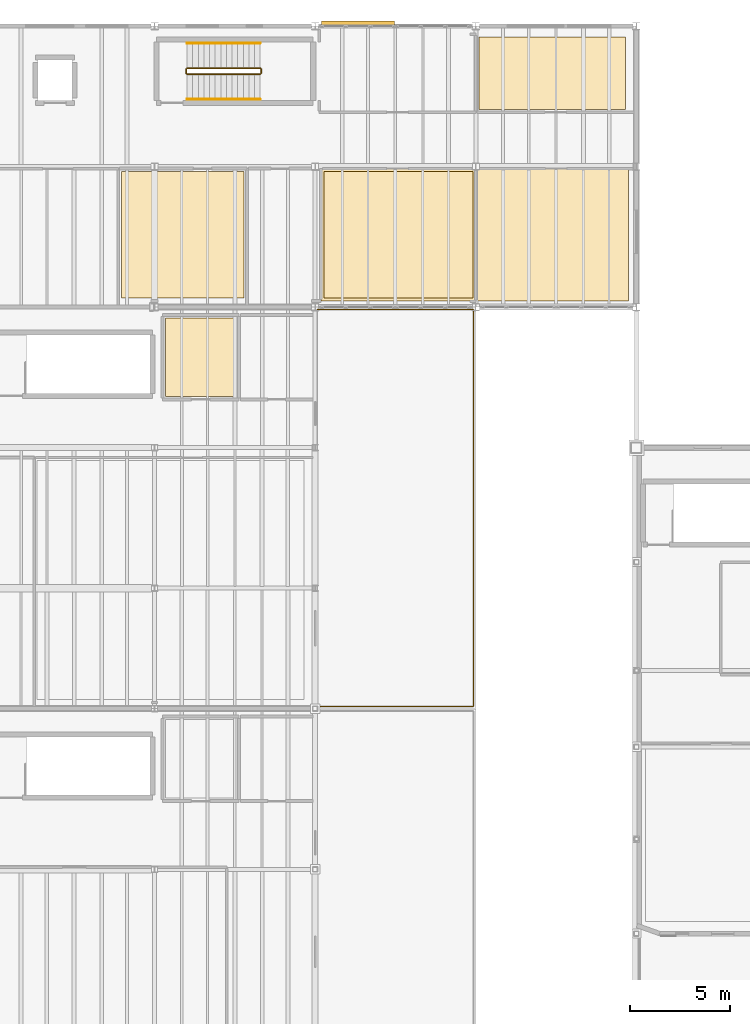
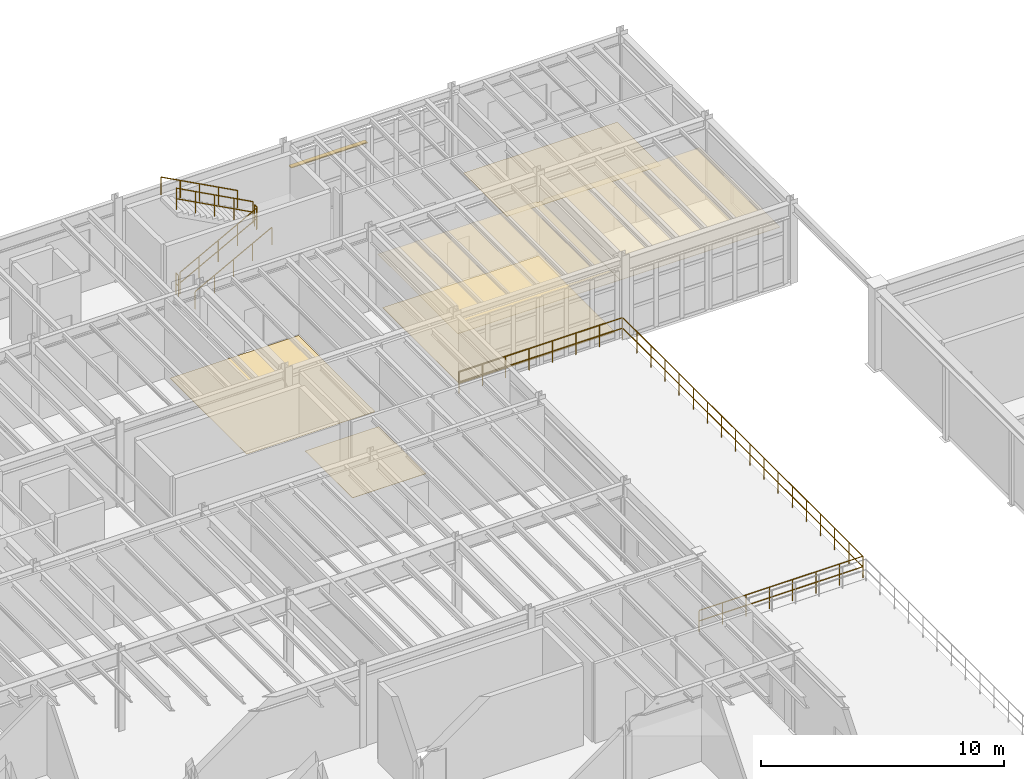
# One storey, part 74 of 78: 7 railings, 6 coverings, 1 shading device.
"""IFC4 building model written with IfcOpenShell, lengths in metres."""

from ifc_helpers import new_model, si_unit, direction, frame, origin, origin_2d, place, context, subcontext, project, spatial, polyline, rectangle, circle, outline, extrude, material, layer, layer_set, type_object, element, save


model = new_model("IFC4")

# Units and contexts
model_context = context("Model", 3, precision=1e-05, world=origin(), true_north=direction((0.0, 1.0)))
body_context = subcontext(model_context, "Body", "Model", "MODEL_VIEW")
ifc_project = project(units=[si_unit("LENGTHUNIT", "METRE"), si_unit("AREAUNIT", "SQUARE_METRE"), si_unit("VOLUMEUNIT", "CUBIC_METRE"), si_unit("PLANEANGLEUNIT", "RADIAN"), si_unit("MASSUNIT", "GRAM", prefix="KILO"), si_unit("THERMODYNAMICTEMPERATUREUNIT", "KELVIN"), si_unit("POWERUNIT", "WATT")], contexts=[model_context])

# Site, building, storey
site_placement = place(None, origin())
site = spatial("IfcSite", under=ifc_project, at=site_placement, CompositionType="ELEMENT")
building_placement = place(site_placement, origin())
building = spatial("IfcBuilding", under=site, at=building_placement, Name="Zhenchuan Central Fire Station", CompositionType="ELEMENT")
storey_placement = place(building_placement, frame((0.0, 0.0, 5.85009765625)))
storey = spatial("IfcBuildingStorey", under=building, at=storey_placement, Name="L02", CompositionType="ELEMENT", Elevation=5.85009765625)

# Coverings
ifc_material_1 = material(Name="Gypsum plasterboard acoustic ceiling", Category="gypsum")
ifc_layer_1 = layer(ifc_material_1, 0.01806640625, Name="Gypsum plasterboard acoustic ceiling", Category="gypsum")
ifc_layer_set_1 = layer_set([ifc_layer_1], Name="Gypsum plasterboard acoustic ceiling")
covering_type_1 = type_object("IfcCoveringType", Name="COV-CEIL-GYP", PredefinedType="CEILING", material=ifc_layer_set_1)
covering_1_placement = place(storey_placement, frame((0.0, 0.0, 2.64990234375)))
element("IfcCovering", 1, at=covering_1_placement, inside=storey, type_object=covering_type_1, Name="Crew Dormitory 03 Acoustic Ceiling", PredefinedType="CEILING", context=body_context, shape_type="SweptSolid", body=[
    extrude(outline(polyline([(48.0, 42.800048828125), (40.300048828125, 42.800048828125), (40.300048828125, 49.39990234375), (47.820068359375, 49.39990234375), (47.820068359375, 49.320068359375), (48.0, 49.320068359375), (48.0, 42.800048828125)])), origin(), (0.0, 0.0, 1.0), 0.01806640625),
])
covering_2_placement = place(storey_placement, frame((0.0, 0.0, 2.64990234375)))
element("IfcCovering", 2, at=covering_2_placement, inside=storey, type_object=covering_type_1, Name="Crew Dormitory 04 Acoustic Ceiling", PredefinedType="CEILING", context=body_context, shape_type="SweptSolid", body=[
    extrude(outline(polyline([(55.60009765625, 49.39990234375), (55.60009765625, 42.800048828125), (48.0, 42.800048828125), (48.0, 49.320068359375), (48.179931640625, 49.320068359375), (48.179931640625, 49.39990234375), (55.60009765625, 49.39990234375)])), origin(), (0.0, 0.0, 1.0), 0.01806640625),
])
ifc_material_2 = material(Name="Heavy-duty slip-resistant ceramic tile flooring")
ifc_layer_2 = layer(ifc_material_2, 0.014892578125, Name="Heavy-duty slip-resistant ceramic tile flooring")
ifc_layer_set_2 = layer_set([ifc_layer_2], Name="Heavy-duty slip-resistant ceramic tile flooring")
covering_type_2 = type_object("IfcCoveringType", Name="COV-FLR-RES", PredefinedType="FLOORING", material=ifc_layer_set_2)
covering_3_placement = place(storey_placement, origin())
element("IfcCovering", 3, at=covering_3_placement, inside=storey, type_object=covering_type_2, Name="BA Decontamination Shower Room Ceramic Tile Flooring", PredefinedType="FLOORING", context=body_context, shape_type="SweptSolid", body=[
    extrude(outline(polyline([(32.550048828125, 38.050048828125), (36.050048828125, 38.050048828125), (36.050048828125, 41.949951171875), (32.550048828125, 41.949951171875), (32.550048828125, 38.050048828125)])), origin(), (0.0, 0.0, 1.0), 0.014892578125),
])
covering_4_placement = place(storey_placement, origin())
element("IfcCovering", 4, at=covering_4_placement, inside=storey, type_object=covering_type_2, Name="Crew Shower Room East Ceramic Tile Flooring", PredefinedType="FLOORING", context=body_context, shape_type="SweptSolid", body=[
    extrude(outline(polyline([(30.35009765625, 42.949951171875), (36.449951171875, 42.949951171875), (36.449951171875, 49.25), (30.35009765625, 49.25), (30.35009765625, 42.949951171875)])), origin(), (0.0, 0.0, 1.0), 0.014892578125),
])
covering_5_placement = place(storey_placement, origin())
element("IfcCovering", 5, at=covering_5_placement, inside=storey, type_object=covering_type_2, Name="Crew Dormitory 03 Ceramic Tile Flooring", PredefinedType="FLOORING", context=body_context, shape_type="SweptSolid", body=[
    extrude(outline(polyline([(40.449951171875, 42.949951171875), (47.85009765625, 42.949951171875), (47.85009765625, 49.25), (40.449951171875, 49.25), (40.449951171875, 42.949951171875)])), origin(), (0.0, 0.0, 1.0), 0.014892578125),
])
covering_6_placement = place(storey_placement, origin())
element("IfcCovering", 6, at=covering_6_placement, inside=storey, type_object=covering_type_2, Name="Duty Officer Dormitory 06 Ceramic Tile Flooring", PredefinedType="FLOORING", context=body_context, shape_type="SweptSolid", body=[
    extrude(outline(polyline([(48.14990234375, 52.35009765625), (55.449951171875, 52.35009765625), (55.449951171875, 55.949951171875), (48.14990234375, 55.949951171875), (48.14990234375, 52.35009765625)])), origin(), (0.0, 0.0, 1.0), 0.014892578125),
])

# Railings
ifc_material_3 = material(Name="Galvanised powder-coated steel", Category="steel")
railing_type_1 = type_object("IfcRailingType", Name="RL-EXT-GRD", PredefinedType="GUARDRAIL", material=ifc_material_3)
railing_1_placement = place(storey_placement, frame((40.10009765625, 22.6201171875, 0.0)))
element("IfcRailing", 7, at=railing_1_placement, inside=storey, type_object=railing_type_1, Name="GRD-L02-V4TER", PredefinedType="GUARDRAIL", context=body_context, shape_type="SweptSolid", body=[
    extrude(circle(Radius=0.02392578125, at=origin_2d()), frame((0.0, 0.0, 1.076171875), z_axis=(1.0, 0.0, 0.0), x_axis=(0.0, 1.0, 0.0)), (0.0, 0.0, 1.0), 7.77978515625),
    extrude(circle(Radius=0.02392578125, at=origin_2d()), frame((0.0, 0.0, 0.550048828125), z_axis=(1.0, 0.0, 0.0), x_axis=(0.0, 1.0, 0.0)), (0.0, 0.0, 1.0), 7.77978515625),
    extrude(circle(Radius=0.02392578125, at=origin_2d()), frame((7.77978515625, 0.0, 1.076171875), z_axis=(0.0, 1.0, 0.0), x_axis=(-1.0, 0.0, 0.0)), (0.0, 0.0, 1.0), 19.759765625),
    extrude(circle(Radius=0.02392578125, at=origin_2d()), frame((7.77978515625, 0.0, 0.550048828125), z_axis=(0.0, 1.0, 0.0), x_axis=(-1.0, 0.0, 0.0)), (0.0, 0.0, 1.0), 19.759765625),
    extrude(circle(Radius=0.02392578125, at=origin_2d()), frame((7.77978515625, 19.759765625, 1.076171875), z_axis=(-1.0, 0.0, 0.0), x_axis=(0.0, -1.0, 0.0)), (0.0, 0.0, 1.0), 7.77978515625),
    extrude(circle(Radius=0.02392578125, at=origin_2d()), frame((7.77978515625, 19.759765625, 0.550048828125), z_axis=(-1.0, 0.0, 0.0), x_axis=(0.0, -1.0, 0.0)), (0.0, 0.0, 1.0), 7.77978515625),
    extrude(circle(Radius=0.02099609375, at=origin_2d()), origin(), (0.0, 0.0, 1.0), 1.052001953125),
    extrude(circle(Radius=0.02099609375, at=origin_2d()), frame((1.111328125, 0.0, 0.0)), (0.0, 0.0, 1.0), 1.052001953125),
    extrude(circle(Radius=0.02099609375, at=origin_2d()), frame((2.222900390625, 0.0, 0.0)), (0.0, 0.0, 1.0), 1.052001953125),
    extrude(circle(Radius=0.02099609375, at=origin_2d()), frame((3.334228515625, 0.0, 0.0)), (0.0, 0.0, 1.0), 1.052001953125),
    extrude(circle(Radius=0.02099609375, at=origin_2d()), frame((4.445556640625, 0.0, 0.0)), (0.0, 0.0, 1.0), 1.052001953125),
    extrude(circle(Radius=0.02099609375, at=origin_2d()), frame((5.556884765625, 0.0, 0.0)), (0.0, 0.0, 1.0), 1.052001953125),
    extrude(circle(Radius=0.02099609375, at=origin_2d()), frame((6.66845703125, 0.0, 0.0)), (0.0, 0.0, 1.0), 1.052001953125),
    extrude(circle(Radius=0.02099609375, at=origin_2d()), frame((7.77978515625, 0.0, 0.0)), (0.0, 0.0, 1.0), 1.052001953125),
    extrude(circle(Radius=0.02099609375, at=origin_2d()), frame((7.77978515625, 1.162353515625, 0.0)), (0.0, 0.0, 1.0), 1.052001953125),
    extrude(circle(Radius=0.02099609375, at=origin_2d()), frame((7.77978515625, 2.32470703125, 0.0)), (0.0, 0.0, 1.0), 1.052001953125),
    extrude(circle(Radius=0.02099609375, at=origin_2d()), frame((7.77978515625, 3.487060546875, 0.0)), (0.0, 0.0, 1.0), 1.052001953125),
    extrude(circle(Radius=0.02099609375, at=origin_2d()), frame((7.77978515625, 4.6494140625, 0.0)), (0.0, 0.0, 1.0), 1.052001953125),
    extrude(circle(Radius=0.02099609375, at=origin_2d()), frame((7.77978515625, 5.811767578125, 0.0)), (0.0, 0.0, 1.0), 1.052001953125),
    extrude(circle(Radius=0.02099609375, at=origin_2d()), frame((7.77978515625, 6.97412109375, 0.0)), (0.0, 0.0, 1.0), 1.052001953125),
    extrude(circle(Radius=0.02099609375, at=origin_2d()), frame((7.77978515625, 8.136474609375, 0.0)), (0.0, 0.0, 1.0), 1.052001953125),
    extrude(circle(Radius=0.02099609375, at=origin_2d()), frame((7.77978515625, 9.298828125, 0.0)), (0.0, 0.0, 1.0), 1.052001953125),
    extrude(circle(Radius=0.02099609375, at=origin_2d()), frame((7.77978515625, 10.4609375, 0.0)), (0.0, 0.0, 1.0), 1.052001953125),
    extrude(circle(Radius=0.02099609375, at=origin_2d()), frame((7.77978515625, 11.623291015625, 0.0)), (0.0, 0.0, 1.0), 1.052001953125),
    extrude(circle(Radius=0.02099609375, at=origin_2d()), frame((7.77978515625, 12.78564453125, 0.0)), (0.0, 0.0, 1.0), 1.052001953125),
    extrude(circle(Radius=0.02099609375, at=origin_2d()), frame((7.77978515625, 13.947998046875, 0.0)), (0.0, 0.0, 1.0), 1.052001953125),
    extrude(circle(Radius=0.02099609375, at=origin_2d()), frame((7.77978515625, 15.1103515625, 0.0)), (0.0, 0.0, 1.0), 1.052001953125),
    extrude(circle(Radius=0.02099609375, at=origin_2d()), frame((7.77978515625, 16.272705078125, 0.0)), (0.0, 0.0, 1.0), 1.052001953125),
    extrude(circle(Radius=0.02099609375, at=origin_2d()), frame((7.77978515625, 17.43505859375, 0.0)), (0.0, 0.0, 1.0), 1.052001953125),
    extrude(circle(Radius=0.02099609375, at=origin_2d()), frame((7.77978515625, 18.597412109375, 0.0)), (0.0, 0.0, 1.0), 1.052001953125),
    extrude(circle(Radius=0.02099609375, at=origin_2d()), frame((7.77978515625, 19.759765625, 0.0)), (0.0, 0.0, 1.0), 1.052001953125),
    extrude(circle(Radius=0.02099609375, at=origin_2d()), frame((6.66845703125, 19.759765625, 0.0)), (0.0, 0.0, 1.0), 1.052001953125),
    extrude(circle(Radius=0.02099609375, at=origin_2d()), frame((5.556884765625, 19.759765625, 0.0)), (0.0, 0.0, 1.0), 1.052001953125),
    extrude(circle(Radius=0.02099609375, at=origin_2d()), frame((4.445556640625, 19.759765625, 0.0)), (0.0, 0.0, 1.0), 1.052001953125),
    extrude(circle(Radius=0.02099609375, at=origin_2d()), frame((3.334228515625, 19.759765625, 0.0)), (0.0, 0.0, 1.0), 1.052001953125),
    extrude(circle(Radius=0.02099609375, at=origin_2d()), frame((2.222900390625, 19.759765625, 0.0)), (0.0, 0.0, 1.0), 1.052001953125),
    extrude(circle(Radius=0.02099609375, at=origin_2d()), frame((1.111328125, 19.759765625, 0.0)), (0.0, 0.0, 1.0), 1.052001953125),
    extrude(circle(Radius=0.02099609375, at=origin_2d()), frame((0.0, 19.759765625, 0.0)), (0.0, 0.0, 1.0), 1.052001953125),
])
railing_type_2 = type_object("IfcRailingType", Name="RL-ST-GRD", PredefinedType="GUARDRAIL", material=ifc_material_3)
railing_2_placement = place(storey_placement, frame((33.6201171875, 54.10009765625, 0.14990234375)))
element("IfcRailing", 8, at=railing_2_placement, inside=storey, type_object=railing_type_2, Name="L02 ST-07 stair guard 1", PredefinedType="GUARDRAIL", context=body_context, shape_type="SweptSolid", body=[
    extrude(circle(Radius=0.02392578125, at=origin_2d()), frame((0.0, 0.0, 1.076171875), z_axis=(0.881479091078, 0.0, 0.472223053219), x_axis=(0.0, 1.0, 0.0)), (0.0, 0.0, 1.0), 4.12939453125),
    extrude(circle(Radius=0.02392578125, at=origin_2d()), frame((0.0, 0.0, 0.550048828125), z_axis=(0.881479091078, 0.0, 0.472223053219), x_axis=(0.0, 1.0, 0.0)), (0.0, 0.0, 1.0), 4.12939453125),
    extrude(circle(Radius=0.02099609375, at=origin_2d()), origin(), (0.0, 0.0, 1.0), 1.052001953125),
    extrude(circle(Radius=0.02099609375, at=origin_2d()), frame((0.909912109375, 0.0, 0.487548828125)), (0.0, 0.0, 1.0), 1.052001953125),
    extrude(circle(Radius=0.02099609375, at=origin_2d()), frame((1.81982421875, 0.0, 0.97509765625)), (0.0, 0.0, 1.0), 1.052001953125),
    extrude(circle(Radius=0.02099609375, at=origin_2d()), frame((2.72998046875, 0.0, 1.46240234375)), (0.0, 0.0, 1.0), 1.052001953125),
    extrude(circle(Radius=0.02099609375, at=origin_2d()), frame((3.639892578125, 0.0, 1.949951171875)), (0.0, 0.0, 1.0), 1.052001953125),
])
railing_3_placement = place(storey_placement, frame((37.31005859375, 54.14990234375, 2.099853515625)))
element("IfcRailing", 9, at=railing_3_placement, inside=storey, type_object=railing_type_2, Name="L02 ST-07 stair guard 2", PredefinedType="GUARDRAIL", context=body_context, shape_type="SweptSolid", body=[
    extrude(circle(Radius=0.02392578125, at=origin_2d()), frame((0.0, 0.0, 1.076171875), z_axis=(0.0, 1.0, 0.0), x_axis=(-1.0, 0.0, 0.0)), (0.0, 0.0, 1.0), 0.2001953125),
    extrude(circle(Radius=0.02392578125, at=origin_2d()), frame((0.0, 0.0, 0.550048828125), z_axis=(0.0, 1.0, 0.0), x_axis=(-1.0, 0.0, 0.0)), (0.0, 0.0, 1.0), 0.2001953125),
    extrude(circle(Radius=0.02099609375, at=origin_2d()), origin(), (0.0, 0.0, 1.0), 1.052001953125),
    extrude(circle(Radius=0.02099609375, at=origin_2d()), frame((0.0, 0.2001953125, 0.0)), (0.0, 0.0, 1.0), 1.052001953125),
])
railing_4_placement = place(storey_placement, frame((37.260009765625, 54.39990234375, 2.25)))
element("IfcRailing", 10, at=railing_4_placement, inside=storey, type_object=railing_type_2, Name="L02 ST-07 stair guard 3", PredefinedType="GUARDRAIL", context=body_context, shape_type="SweptSolid", body=[
    extrude(circle(Radius=0.02392578125, at=origin_2d()), frame((0.0, 0.0, 1.076171875), z_axis=(-0.881479091078, 0.0, 0.472223053219), x_axis=(0.0, -1.0, 0.0)), (0.0, 0.0, 1.0), 4.12939453125),
    extrude(circle(Radius=0.02392578125, at=origin_2d()), frame((0.0, 0.0, 0.550048828125), z_axis=(-0.881479091078, 0.0, 0.472223053219), x_axis=(0.0, -1.0, 0.0)), (0.0, 0.0, 1.0), 4.12939453125),
    extrude(circle(Radius=0.02099609375, at=origin_2d()), origin(), (0.0, 0.0, 1.0), 1.052001953125),
    extrude(circle(Radius=0.02099609375, at=origin_2d()), frame((-0.909912109375, 0.0, 0.487548828125)), (0.0, 0.0, 1.0), 1.052001953125),
    extrude(circle(Radius=0.02099609375, at=origin_2d()), frame((-1.81982421875, 0.0, 0.97509765625)), (0.0, 0.0, 1.0), 1.052001953125),
    extrude(circle(Radius=0.02099609375, at=origin_2d()), frame((-2.72998046875, 0.0, 1.46240234375)), (0.0, 0.0, 1.0), 1.052001953125),
    extrude(circle(Radius=0.02099609375, at=origin_2d()), frame((-3.639892578125, 0.0, 1.949951171875)), (0.0, 0.0, 1.0), 1.052001953125),
])
railing_5_placement = place(storey_placement, frame((33.570068359375, 54.14990234375, 0.0)))
element("IfcRailing", 11, at=railing_5_placement, inside=storey, type_object=railing_type_2, Name="L02 ST-07 stair guard 4", PredefinedType="GUARDRAIL", context=body_context, shape_type="SweptSolid", body=[
    extrude(circle(Radius=0.02392578125, at=origin_2d()), frame((0.0, 0.0, 1.076171875), z_axis=(0.0, 1.0, 0.0), x_axis=(-1.0, 0.0, 0.0)), (0.0, 0.0, 1.0), 0.2001953125),
    extrude(circle(Radius=0.02392578125, at=origin_2d()), frame((0.0, 0.0, 0.550048828125), z_axis=(0.0, 1.0, 0.0), x_axis=(-1.0, 0.0, 0.0)), (0.0, 0.0, 1.0), 0.2001953125),
    extrude(circle(Radius=0.02099609375, at=origin_2d()), origin(), (0.0, 0.0, 1.0), 1.052001953125),
    extrude(circle(Radius=0.02099609375, at=origin_2d()), frame((0.0, 0.2001953125, 0.0)), (0.0, 0.0, 1.0), 1.052001953125),
])
ifc_material_4 = material(Name="Brushed stainless steel handrail", Category="steel")
railing_type_3 = type_object("IfcRailingType", Name="RL-ST-HND", PredefinedType="HANDRAIL", material=ifc_material_4)
railing_6_placement = place(storey_placement, frame((33.6201171875, 52.85009765625, 0.14990234375)))
element("IfcRailing", 12, at=railing_6_placement, inside=storey, type_object=railing_type_3, Name="L02 ST-07 stair handrail 1", PredefinedType="HANDRAIL", context=body_context, shape_type="SweptSolid", body=[
    extrude(circle(Radius=0.02392578125, at=origin_2d()), frame((0.0, 0.0, 0.8759765625), z_axis=(0.881479091078, 0.0, 0.472223053219), x_axis=(0.0, 1.0, 0.0)), (0.0, 0.0, 1.0), 4.12939453125),
    extrude(circle(Radius=0.02099609375, at=origin_2d()), origin(), (0.0, 0.0, 1.0), 0.851806640625),
    extrude(circle(Radius=0.02099609375, at=origin_2d()), frame((0.909912109375, 0.0, 0.487548828125)), (0.0, 0.0, 1.0), 0.851806640625),
    extrude(circle(Radius=0.02099609375, at=origin_2d()), frame((1.81982421875, 0.0, 0.97509765625)), (0.0, 0.0, 1.0), 0.851806640625),
    extrude(circle(Radius=0.02099609375, at=origin_2d()), frame((2.72998046875, 0.0, 1.46240234375)), (0.0, 0.0, 1.0), 0.851806640625),
    extrude(circle(Radius=0.02099609375, at=origin_2d()), frame((3.639892578125, 0.0, 1.949951171875)), (0.0, 0.0, 1.0), 0.851806640625),
])
railing_7_placement = place(storey_placement, frame((37.260009765625, 55.64990234375, 2.25)))
element("IfcRailing", 13, at=railing_7_placement, inside=storey, type_object=railing_type_3, Name="L02 ST-07 stair handrail 2", PredefinedType="HANDRAIL", context=body_context, shape_type="SweptSolid", body=[
    extrude(circle(Radius=0.02392578125, at=origin_2d()), frame((0.0, 0.0, 0.8759765625), z_axis=(-0.881479091078, 0.0, 0.472223053219), x_axis=(0.0, -1.0, 0.0)), (0.0, 0.0, 1.0), 4.12939453125),
    extrude(circle(Radius=0.02099609375, at=origin_2d()), origin(), (0.0, 0.0, 1.0), 0.851806640625),
    extrude(circle(Radius=0.02099609375, at=origin_2d()), frame((-0.909912109375, 0.0, 0.487548828125)), (0.0, 0.0, 1.0), 0.851806640625),
    extrude(circle(Radius=0.02099609375, at=origin_2d()), frame((-1.81982421875, 0.0, 0.97509765625)), (0.0, 0.0, 1.0), 0.851806640625),
    extrude(circle(Radius=0.02099609375, at=origin_2d()), frame((-2.72998046875, 0.0, 1.46240234375)), (0.0, 0.0, 1.0), 0.851806640625),
    extrude(circle(Radius=0.02099609375, at=origin_2d()), frame((-3.639892578125, 0.0, 1.949951171875)), (0.0, 0.0, 1.0), 0.851806640625),
])

# Shading device
ifc_material_5 = material(Name="Anodised aluminium EN AW-6063", Category="aluminium")
ifc_layer_3 = layer(ifc_material_5, 0.0400390625, Name="Anodised aluminium EN AW-6063", Category="aluminium")
ifc_layer_set_3 = layer_set([ifc_layer_3], Name="Anodised aluminium EN AW-6063")
shading_device_type = type_object("IfcShadingDeviceType", Name="SHD-ALU-FIN", PredefinedType="JALOUSIE", material=ifc_layer_set_3)
shading_device_placement = place(storey_placement, frame((42.131103515625, 56.638427734375, 2.62939453125), z_axis=(0.0, 0.0, 1.0), x_axis=(1.0, 0.0, 0.0)))
element("IfcShadingDevice", 14, at=shading_device_placement, inside=storey, type_object=shading_device_type, Name="Perforated Aluminium Sun-Shading Louvre 006", PredefinedType="JALOUSIE", context=body_context, shape_type="SweptSolid", body=[
    extrude(rectangle(XDim=3.6220703125, YDim=0.219970703125, at=origin_2d()), origin(), (0.0, 0.0, 1.0), 0.044921875),
])

save(model, "model.ifc")
